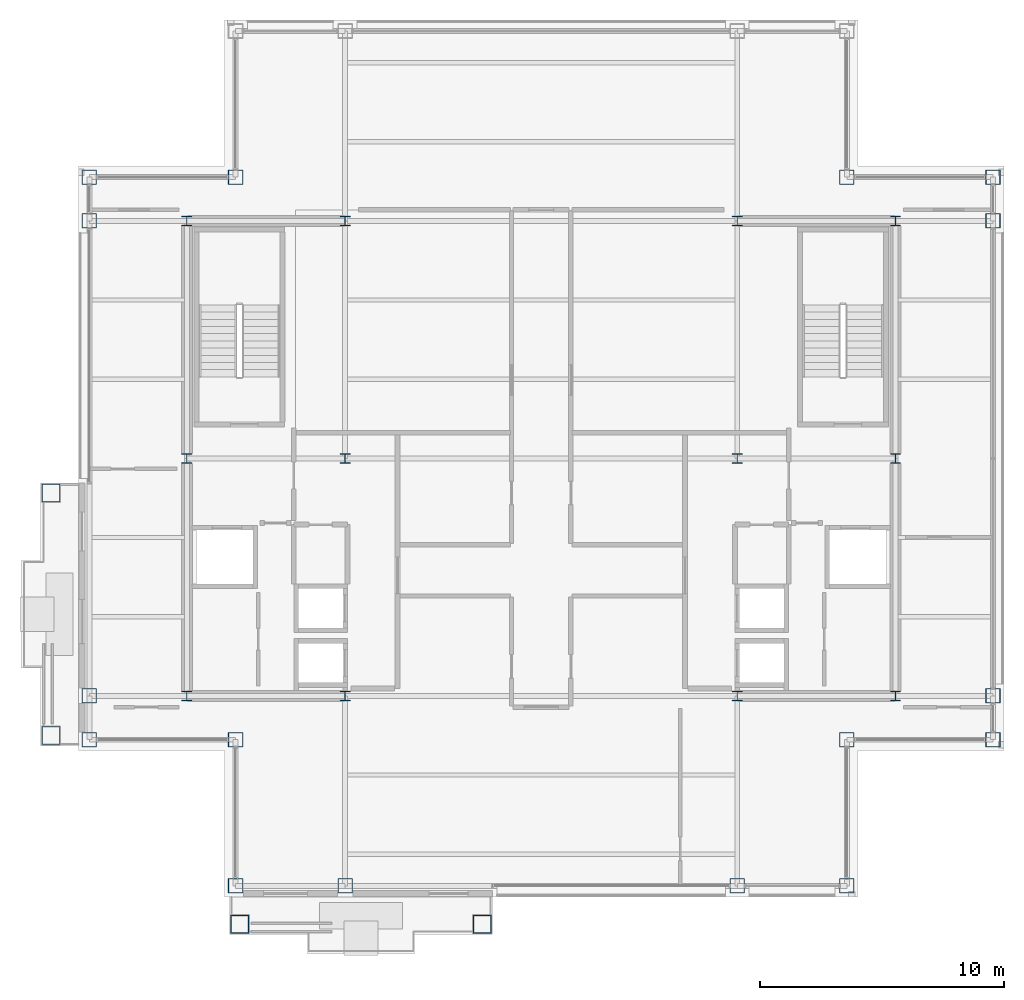
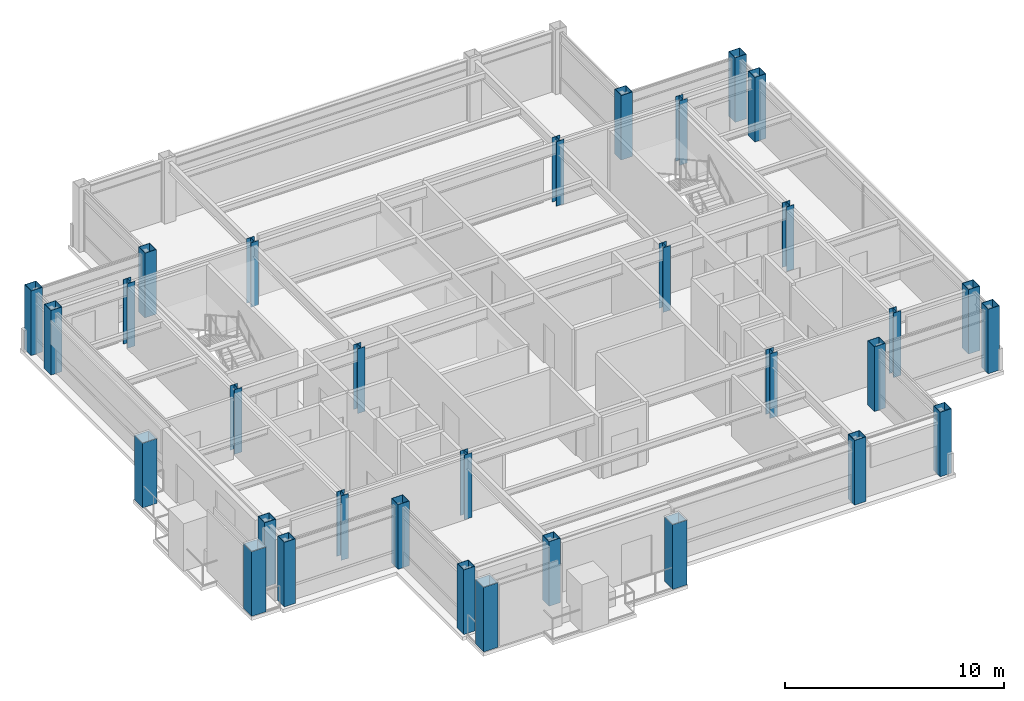
# One storey, part 1 of 27: 32 columns.
"""IFC4 building model written with IfcOpenShell, lengths in metres."""

from ifc_helpers import new_model, si_unit, direction, frame, origin, origin_2d, place, context, subcontext, project, spatial, hollow_rectangle, i_section, extrude, material, material_profile, profile_set, type_object, element, save


model = new_model("IFC4")

# Units and contexts
model_context = context("Model", 3, precision=1e-05, world=origin(), true_north=direction((0.0, 1.0)))
body_context = subcontext(model_context, "Body", "Model", "MODEL_VIEW")
ifc_project = project(units=[si_unit("LENGTHUNIT", "METRE"), si_unit("AREAUNIT", "SQUARE_METRE"), si_unit("VOLUMEUNIT", "CUBIC_METRE"), si_unit("PLANEANGLEUNIT", "RADIAN"), si_unit("MASSUNIT", "GRAM", prefix="KILO")], contexts=[model_context])

# Site, building, storey
site_placement = place(None, origin())
site = spatial("IfcSite", under=ifc_project, at=site_placement, CompositionType="ELEMENT")
building_placement = place(site_placement, origin())
building = spatial("IfcBuilding", under=site, at=building_placement, Name="Brelmoor Portico Tower", CompositionType="ELEMENT")
storey_placement = place(building_placement, frame((0.0, 0.0, 250.800048828125)))
storey = spatial("IfcBuildingStorey", under=building, at=storey_placement, Name="L66", CompositionType="ELEMENT", Elevation=250.800048828125)

# Columns
ifc_material = material(Name="Steel Q355B", Category="steel")
ifc_material_profile_1 = material_profile(ifc_material, hollow_rectangle(XDim=0.60009765625, YDim=0.60009765625, WallThickness=0.02490234375, at=origin_2d()), Name="BOX 600x600x25")
ifc_profile_set_1 = profile_set([ifc_material_profile_1], Name="Steel Q355B")
column_type_1 = type_object("IfcColumnType", Name="COL-MEGA-600", PredefinedType="COLUMN", material=ifc_profile_set_1)
for number, where, z_axis, x_axis, name in (
    (1, (-12.550048828125, -17.550048828125, 0.0), (0.0, 0.0, 1.0), (1.0, 0.0, 0.0), "L66 Perimeter Mega-Column PS01"),
    (2, (-8.050048828125, -17.550048828125, 0.0), (0.0, 0.0, 1.0), (1.0, 0.0, 0.0), "L66 Perimeter Mega-Column PS02"),
    (3, (8.050048828125, -17.550048828125, 0.0), (0.0, 0.0, 1.0), (1.0, 0.0, 0.0), "L66 Perimeter Mega-Column PS03"),
    (4, (12.550048828125, -17.550048828125, 0.0), (0.0, 0.0, 1.0), (1.0, 0.0, 0.0), "L66 Perimeter Mega-Column PS04"),
    (5, (-18.550048828125, -11.550048828125, 0.0), (0.0, 0.0, 1.0), (0.0, 1.0, 0.0), "L66 Perimeter Mega-Column PW01"),
    (6, (-18.550048828125, -9.75, 0.0), (0.0, 0.0, 1.0), (0.0, 1.0, 0.0), "L66 Perimeter Mega-Column PW02"),
    (7, (-18.550048828125, 9.75, 0.0), (0.0, 0.0, 1.0), (0.0, 1.0, 0.0), "L66 Perimeter Mega-Column PW03"),
    (8, (-18.550048828125, 11.550048828125, 0.0), (0.0, 0.0, 1.0), (0.0, 1.0, 0.0), "L66 Perimeter Mega-Column PW04"),
    (9, (18.550048828125, -11.550048828125, 0.0), (0.0, 0.0, 1.0), (0.0, 1.0, 0.0), "L66 Perimeter Mega-Column PE01"),
    (10, (18.550048828125, -9.75, 0.0), (0.0, 0.0, 1.0), (0.0, 1.0, 0.0), "L66 Perimeter Mega-Column PE02"),
    (11, (18.550048828125, 9.75, 0.0), (0.0, 0.0, 1.0), (0.0, 1.0, 0.0), "L66 Perimeter Mega-Column PE03"),
    (12, (18.550048828125, 11.550048828125, 0.0), (0.0, 0.0, 1.0), (0.0, 1.0, 0.0), "L66 Perimeter Mega-Column PE04"),
    (13, (-12.550048828125, 11.550048828125, 0.0), (0.0, 0.0, 1.0), (1.0, 0.0, 0.0), "L66 Perimeter Mega-Column PC-NW"),
    (14, (12.550048828125, 11.550048828125, 0.0), (0.0, 0.0, 1.0), (1.0, 0.0, 0.0), "L66 Perimeter Mega-Column PC-NE"),
    (15, (12.550048828125, -11.550048828125, 0.0), (0.0, 0.0, 1.0), (1.0, 0.0, 0.0), "L66 Perimeter Mega-Column PC-SE"),
    (16, (-12.550048828125, -11.550048828125, 0.0), (0.0, 0.0, 1.0), (1.0, 0.0, 0.0), "L66 Perimeter Mega-Column PC-SW"),
):
    element("IfcColumn", number, at=place(storey_placement, frame(where, z_axis=z_axis, x_axis=x_axis)), inside=storey, type_object=column_type_1, Name=name, PredefinedType="COLUMN", context=body_context, shape_type="SweptSolid", body=[
        extrude(hollow_rectangle(XDim=0.60009765625, YDim=0.60009765625, WallThickness=0.02490234375, at=origin_2d()), origin(), (0.0, 0.0, 1.0), 3.599853515625),
    ])
ifc_material_profile_2 = material_profile(ifc_material, hollow_rectangle(XDim=0.75, YDim=0.75, WallThickness=0.031982421875, at=origin_2d()), Name="BOX 750x750x32")
ifc_profile_set_2 = profile_set([ifc_material_profile_2], Name="Steel Q355B")
column_type_2 = type_object("IfcColumnType", Name="COL-MEGA-750", PredefinedType="COLUMN", material=ifc_profile_set_2)
for number, where, z_axis, x_axis, name in (
    (17, (-12.3798828125, -19.1298828125, 0.0), (0.0, 0.0, 1.0), (1.0, 0.0, 0.0), "L66 Proud Picture-Frame Pier PFJ-S1"),
    (18, (-2.419921875, -19.1298828125, 0.0), (0.0, 0.0, 1.0), (1.0, 0.0, 0.0), "L66 Proud Picture-Frame Pier PFJ-S2"),
    (19, (-20.1298828125, -11.3798828125, 0.0), (0.0, 0.0, 1.0), (0.0, 1.0, 0.0), "L66 Proud Picture-Frame Pier PFJ-W1"),
    (20, (-20.1298828125, -1.419921875, 0.0), (0.0, 0.0, 1.0), (0.0, 1.0, 0.0), "L66 Proud Picture-Frame Pier PFJ-W2"),
):
    element("IfcColumn", number, at=place(storey_placement, frame(where, z_axis=z_axis, x_axis=x_axis)), inside=storey, type_object=column_type_2, Name=name, PredefinedType="COLUMN", context=body_context, shape_type="SweptSolid", body=[
        extrude(hollow_rectangle(XDim=0.75, YDim=0.75, WallThickness=0.031982421875, at=origin_2d()), origin(), (0.0, 0.0, 1.0), 3.599853515625),
    ])
ifc_material_profile_3 = material_profile(ifc_material, i_section(OverallWidth=0.39990234375, OverallDepth=0.39990234375, WebThickness=0.012939453125, FlangeThickness=0.02099609375, at=origin_2d()), Name="HW 400x400x13x21")
ifc_profile_set_3 = profile_set([ifc_material_profile_3], Name="Steel Q355B")
column_type_3 = type_object("IfcColumnType", Name="COL-SPINE-400", PredefinedType="COLUMN", material=ifc_profile_set_3)
for number, where, z_axis, x_axis, name in (
    (21, (-14.550048828125, -9.75, 0.0), (0.0, 0.0, 1.0), (1.0, 0.0, 0.0), "L66 Core Spine Column CW-SW"),
    (22, (-14.550048828125, 0.0, 0.0), (0.0, 0.0, 1.0), (1.0, 0.0, 0.0), "L66 Core Spine Column CW-MW"),
    (23, (-14.550048828125, 9.75, 0.0), (0.0, 0.0, 1.0), (1.0, 0.0, 0.0), "L66 Core Spine Column CW-NW"),
    (24, (-8.050048828125, -9.75, 0.0), (0.0, 0.0, 1.0), (1.0, 0.0, 0.0), "L66 Core Spine Column CW-SE"),
    (25, (-8.050048828125, 0.0, 0.0), (0.0, 0.0, 1.0), (1.0, 0.0, 0.0), "L66 Core Spine Column CW-ME"),
    (26, (-8.050048828125, 9.75, 0.0), (0.0, 0.0, 1.0), (1.0, 0.0, 0.0), "L66 Core Spine Column CW-NE"),
    (27, (8.050048828125, -9.75, 0.0), (0.0, 0.0, 1.0), (1.0, 0.0, 0.0), "L66 Core Spine Column CE-SW"),
    (28, (8.050048828125, 0.0, 0.0), (0.0, 0.0, 1.0), (1.0, 0.0, 0.0), "L66 Core Spine Column CE-MW"),
    (29, (8.050048828125, 9.75, 0.0), (0.0, 0.0, 1.0), (1.0, 0.0, 0.0), "L66 Core Spine Column CE-NW"),
    (30, (14.550048828125, -9.75, 0.0), (0.0, 0.0, 1.0), (1.0, 0.0, 0.0), "L66 Core Spine Column CE-SE"),
    (31, (14.550048828125, 0.0, 0.0), (0.0, 0.0, 1.0), (1.0, 0.0, 0.0), "L66 Core Spine Column CE-ME"),
    (32, (14.550048828125, 9.75, 0.0), (0.0, 0.0, 1.0), (1.0, 0.0, 0.0), "L66 Core Spine Column CE-NE"),
):
    element("IfcColumn", number, at=place(storey_placement, frame(where, z_axis=z_axis, x_axis=x_axis)), inside=storey, type_object=column_type_3, Name=name, PredefinedType="COLUMN", context=body_context, shape_type="SweptSolid", body=[
        extrude(i_section(OverallWidth=0.39990234375, OverallDepth=0.39990234375, WebThickness=0.012939453125, FlangeThickness=0.02099609375, at=origin_2d()), origin(), (0.0, 0.0, 1.0), 3.599853515625),
    ])

save(model, "model.ifc")
